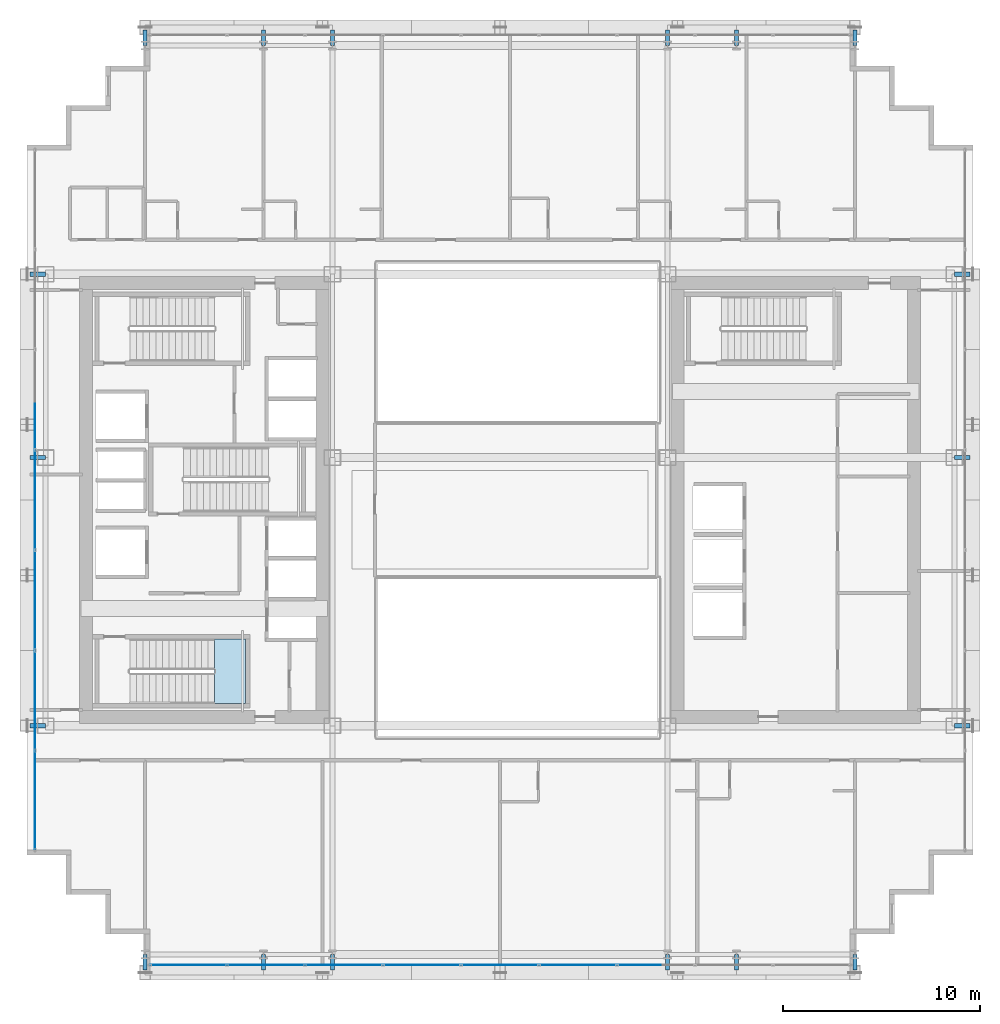
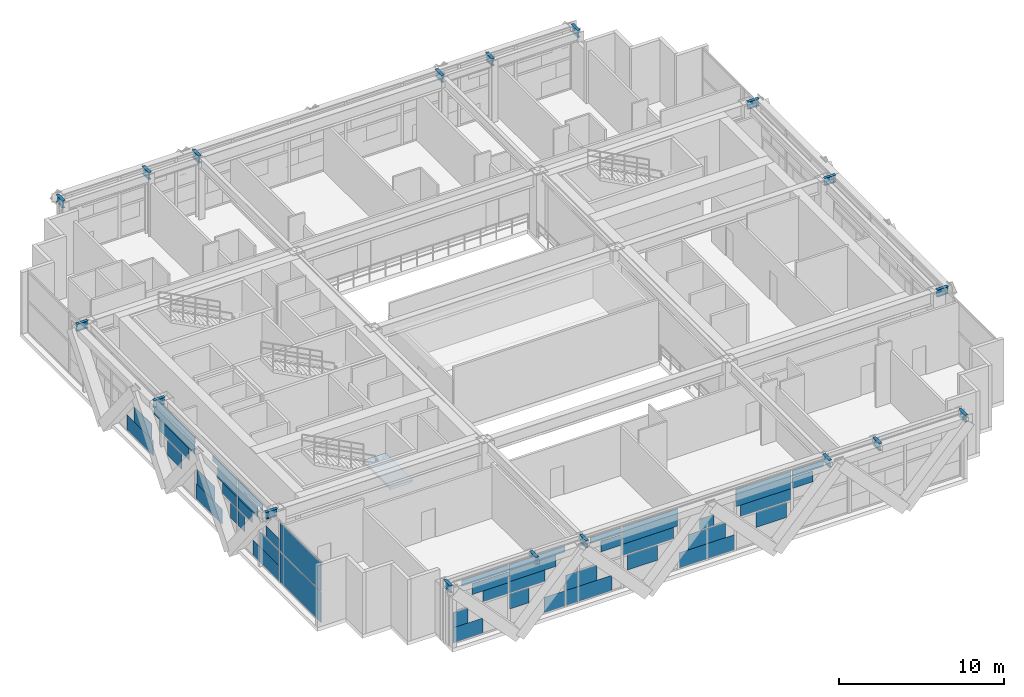
# One storey, part 25 of 38: 46 plates, 18 beams, 1 slab, 3 elements without a shape of their own.
"""IFC4 building model written with IfcOpenShell, lengths in metres."""

from ifc_helpers import new_model, si_unit, direction, frame, origin, origin_2d, place, context, subcontext, project, spatial, polyline, rectangle, i_section, outline, extrude, source, transform, mapped, material, layer, layer_set, material_profile, profile_set, type_object, element, aggregate, save


model = new_model("IFC4")

# Units and contexts
model_context = context("Model", 3, precision=1e-05, world=origin(), true_north=direction((0.0, 1.0)))
body_context = subcontext(model_context, "Body", "Model", "MODEL_VIEW")
ifc_project = project(units=[si_unit("LENGTHUNIT", "METRE"), si_unit("AREAUNIT", "SQUARE_METRE"), si_unit("VOLUMEUNIT", "CUBIC_METRE"), si_unit("PLANEANGLEUNIT", "RADIAN"), si_unit("MASSUNIT", "GRAM", prefix="KILO")], contexts=[model_context])

# Site, building, storey
site_placement = place(None, origin())
site = spatial("IfcSite", under=ifc_project, at=site_placement, CompositionType="ELEMENT")
building_placement = place(site_placement, origin())
building = spatial("IfcBuilding", under=site, at=building_placement, Name="Ocotamira Hotel", CompositionType="ELEMENT")
storey_placement = place(building_placement, frame((0.0, 0.0, 92.39990234375)))
storey = spatial("IfcBuildingStorey", under=building, at=storey_placement, Name="L22", CompositionType="ELEMENT", Elevation=92.39990234375)

# Beams
ifc_material_1 = material(Name="Steel ASTM A992 Grade 50", Category="steel")
ifc_material_profile = material_profile(ifc_material_1, i_section(OverallWidth=0.2099609375, OverallDepth=0.537109375, WebThickness=0.010986328125, FlangeThickness=0.017333984375, FilletRadius=0.012939453125, at=origin_2d()), Name="W21X68")
ifc_profile_set = profile_set([ifc_material_profile], Name="Steel ASTM A992 Grade 50")
beam_type = type_object("IfcBeamType", Name="BM-SEC-W21X68", PredefinedType="JOIST", material=ifc_profile_set)
shared_shape_1 = source(origin(), body_context, "Body", "SweptSolid", [
    extrude(i_section(OverallWidth=0.2099609375, OverallDepth=0.537109375, WebThickness=0.010986328125, FlangeThickness=0.017333984375, FilletRadius=0.012939453125, at=origin_2d()), origin(), (0.0, 0.0, 1.0), 0.800048828125),
])
for number, where, z_axis, x_axis, name in (
    (1, (14.0, 2.949951171875, 4.29150390625), (0.0, -1.0, 0.0), (1.0, 0.0, 0.0), "L22 South Edge Header X14"),
    (2, (14.0, 49.050048828125, 4.29150390625), (0.0, 1.0, 0.0), (-1.0, 0.0, 0.0), "L22 North Edge Header X14"),
    (3, (20.0, 2.949951171875, 4.29150390625), (0.0, -1.0, 0.0), (1.0, 0.0, 0.0), "L22 South Edge Header X20"),
    (4, (20.0, 49.050048828125, 4.29150390625), (0.0, 1.0, 0.0), (-1.0, 0.0, 0.0), "L22 North Edge Header X20"),
    (5, (23.5, 2.949951171875, 4.29150390625), (0.0, -1.0, 0.0), (1.0, 0.0, 0.0), "L22 South Edge Header X23.5"),
    (6, (23.5, 49.050048828125, 4.29150390625), (0.0, 1.0, 0.0), (-1.0, 0.0, 0.0), "L22 North Edge Header X23.5"),
    (7, (40.5, 2.949951171875, 4.29150390625), (0.0, -1.0, 0.0), (1.0, 0.0, 0.0), "L22 South Edge Header X40.5"),
    (8, (40.5, 49.050048828125, 4.29150390625), (0.0, 1.0, 0.0), (-1.0, 0.0, 0.0), "L22 North Edge Header X40.5"),
    (9, (44.0, 2.949951171875, 4.29150390625), (0.0, -1.0, 0.0), (1.0, 0.0, 0.0), "L22 South Edge Header X44"),
    (10, (44.0, 49.050048828125, 4.29150390625), (0.0, 1.0, 0.0), (-1.0, 0.0, 0.0), "L22 North Edge Header X44"),
    (11, (50.0, 2.949951171875, 4.29150390625), (0.0, -1.0, 0.0), (1.0, 0.0, 0.0), "L22 South Edge Header X50"),
    (12, (50.0, 49.050048828125, 4.29150390625), (0.0, 1.0, 0.0), (-1.0, 0.0, 0.0), "L22 North Edge Header X50"),
    (13, (8.949951171875, 14.550048828125, 4.29150390625), (-1.0, 0.0, 0.0), (0.0, -1.0, 0.0), "L22 West Edge Header Y14.55"),
    (14, (55.050048828125, 14.550048828125, 4.29150390625), (1.0, 0.0, 0.0), (0.0, 1.0, 0.0), "L22 East Edge Header Y14.55"),
    (15, (8.949951171875, 28.14990234375, 4.29150390625), (-1.0, 0.0, 0.0), (0.0, -1.0, 0.0), "L22 West Edge Header Y28.15"),
    (16, (55.050048828125, 28.14990234375, 4.29150390625), (1.0, 0.0, 0.0), (0.0, 1.0, 0.0), "L22 East Edge Header Y28.15"),
    (17, (8.949951171875, 37.449951171875, 4.29150390625), (-1.0, 0.0, 0.0), (0.0, -1.0, 0.0), "L22 West Edge Header Y37.45"),
    (18, (55.050048828125, 37.449951171875, 4.29150390625), (1.0, 0.0, 0.0), (0.0, 1.0, 0.0), "L22 East Edge Header Y37.45"),
):
    element("IfcBeam", number, at=place(storey_placement, frame(where, z_axis=z_axis, x_axis=x_axis)), inside=storey, type_object=beam_type, Name=name, PredefinedType="JOIST", context=body_context, shape_type="MappedRepresentation", body=[
        mapped(shared_shape_1, transform((0.0, 0.0, 0.0), scale=1.0)),
    ])

# Stair, slab
ifc_material_2 = material(Name="Concrete C40/50", Category="concrete")
stair_type = type_object("IfcStairType", Name="ST-CORE-1560", PredefinedType="HALF_TURN_STAIR", material=ifc_material_2)
stair_placement = place(storey_placement, origin())
stair = element("IfcStair", 19, at=stair_placement, inside=storey, type_object=stair_type, Name="L22 Exit Stair ST-1", PredefinedType="HALF_TURN_STAIR")
ifc_layer_1 = layer(ifc_material_2, 0.199951171875)
ifc_layer_set_1 = layer_set([ifc_layer_1], Name="Concrete C40/50")
slab_type = type_object("IfcSlabType", Name="SLB-LAND-200", PredefinedType="LANDING", material=ifc_layer_set_1)
slab_placement = place(storey_placement, frame((0.0, 0.0, 2.2001953125)))
slab = element("IfcSlab", 20, at=slab_placement, type_object=slab_type, Name="ST-1 landing 1", PredefinedType="LANDING", context=body_context, shape_type="SweptSolid", body=[
    extrude(outline(polyline([(17.52001953125, 15.669921875), (19.090087890625, 15.669921875), (19.090087890625, 18.949951171875), (17.52001953125, 18.949951171875), (17.52001953125, 15.669921875)])), origin(), (0.0, 0.0, 1.0), 0.199951171875),
])
aggregate(stair, [slab])

# Curtain wall, plate
ifc_material_3 = material(Name="Anodised pale-metal aluminium and solar glass", Category="aluminium")
ifc_layer_2 = layer(ifc_material_3, 0.239990234375)
ifc_layer_set_2 = layer_set([ifc_layer_2], Name="Anodised pale-metal aluminium and solar glass")
curtain_wall_type = type_object("IfcCurtainWallType", Name="CW-SYS5-SKY", PredefinedType="NOTDEFINED", material=ifc_layer_set_2)
curtain_wall_1_placement = place(storey_placement, origin())
curtain_wall_1 = element("IfcCurtainWall", 21, at=curtain_wall_1_placement, inside=storey, type_object=curtain_wall_type, Name="L22 Curtain Wall CW-5 CW-L22-W", PredefinedType="NOTDEFINED")
ifc_material_4 = material(Name="Double-silver low-E insulated solar glass", Category="glass")
ifc_layer_3 = layer(ifc_material_4, 0.031982421875)
ifc_layer_set_3 = layer_set([ifc_layer_3], Name="Double-silver low-E insulated solar glass")
plate_type = type_object("IfcPlateType", Name="CWP-VISION-32", PredefinedType="CURTAIN_PANEL", material=ifc_layer_set_3)
shared_shape_2 = source(origin(), body_context, "Body", "SweptSolid", [
    extrude(rectangle(XDim=4.9658203125, YDim=0.031982421875, at=origin_2d()), origin(), (0.0, 0.0, 1.0), 2.237548828125),
])
plate_1_placement = place(storey_placement, frame((8.419921875, 10.762939453125, 0.0751953125), z_axis=(0.0, 0.0, 1.0), x_axis=(0.0, 1.0, 0.0)))
plate_1 = element("IfcPlate", 22, at=plate_1_placement, type_object=plate_type, Name="CW-5 panel 1.1", PredefinedType="CURTAIN_PANEL", context=body_context, shape_type="MappedRepresentation", body=[
    mapped(shared_shape_2, transform((0.0, 0.0, 0.0), scale=1.0)),
])

# Curtain wall, plates
curtain_wall_2_placement = place(storey_placement, origin())
curtain_wall_2 = element("IfcCurtainWall", 23, at=curtain_wall_2_placement, inside=storey, type_object=curtain_wall_type, Name="L22 Curtain Wall CW-5 CW-L22-S1", PredefinedType="NOTDEFINED")
shared_shape_3 = source(origin(), body_context, "Body", "SweptSolid", [
    extrude(rectangle(XDim=2.0712890625, YDim=0.031982421875, at=origin_2d()), origin(), (0.0, 0.0, 1.0), 1.118896484375),
])
plate_2_placement = place(storey_placement, frame((15.315673828125, 2.419921875, 0.0751953125), z_axis=(0.0, 0.0, 1.0), x_axis=(1.0, 0.0, 0.0)))
plate_2 = element("IfcPlate", 24, at=plate_2_placement, type_object=plate_type, Name="CW-5 panel 1.1.1", PredefinedType="CURTAIN_PANEL", context=body_context, shape_type="MappedRepresentation", body=[
    mapped(shared_shape_3, transform((0.0, 0.0, 0.0), scale=1.0)),
])
shared_shape_4 = source(origin(), body_context, "Body", "SweptSolid", [
    extrude(rectangle(XDim=1.031005859375, YDim=0.031982421875, at=origin_2d()), origin(), (0.0, 0.0, 1.0), 1.118896484375),
])
plate_3_placement = place(storey_placement, frame((14.79541015625, 2.419921875, 1.19384765625), z_axis=(0.0, 0.0, 1.0), x_axis=(1.0, 0.0, 0.0)))
plate_3 = element("IfcPlate", 25, at=plate_3_placement, type_object=plate_type, Name="CW-5 panel 1.1.2", PredefinedType="CURTAIN_PANEL", context=body_context, shape_type="MappedRepresentation", body=[
    mapped(shared_shape_4, transform((0.0, 0.0, 0.0), scale=1.0)),
])
shared_shape_5 = source(origin(), body_context, "Body", "SweptSolid", [
    extrude(rectangle(XDim=3.256591796875, YDim=0.031982421875, at=origin_2d()), origin(), (0.0, 0.0, 1.0), 0.42919921875),
])
plate_4_placement = place(storey_placement, frame((16.4873046875, 2.419921875, 4.055908203125), z_axis=(0.0, 0.0, 1.0), x_axis=(1.0, 0.0, 0.0)))
plate_4 = element("IfcPlate", 26, at=plate_4_placement, type_object=plate_type, Name="CW-5 panel 1.2.1", PredefinedType="CURTAIN_PANEL", context=body_context, shape_type="MappedRepresentation", body=[
    mapped(shared_shape_5, transform((0.0, 0.0, 0.0), scale=1.0)),
])
shared_shape_6 = source(origin(), body_context, "Body", "SweptSolid", [
    extrude(rectangle(XDim=2.523193359375, YDim=0.031982421875, at=origin_2d()), origin(), (0.0, 0.0, 1.0), 0.79736328125),
])
plate_5_placement = place(storey_placement, frame((16.85400390625, 2.419921875, 3.184814453125), z_axis=(0.0, 0.0, 1.0), x_axis=(1.0, 0.0, 0.0)))
plate_5 = element("IfcPlate", 27, at=plate_5_placement, type_object=plate_type, Name="CW-5 panel 1.2.2", PredefinedType="CURTAIN_PANEL", context=body_context, shape_type="MappedRepresentation", body=[
    mapped(shared_shape_6, transform((0.0, 0.0, 0.0), scale=1.0)),
])
shared_shape_7 = source(origin(), body_context, "Body", "SweptSolid", [
    extrude(rectangle(XDim=1.781982421875, YDim=0.031982421875, at=origin_2d()), origin(), (0.0, 0.0, 1.0), 0.79736328125),
])
plate_6_placement = place(storey_placement, frame((17.224609375, 2.419921875, 2.387451171875), z_axis=(0.0, 0.0, 1.0), x_axis=(1.0, 0.0, 0.0)))
plate_6 = element("IfcPlate", 28, at=plate_6_placement, type_object=plate_type, Name="CW-5 panel 1.2.3", PredefinedType="CURTAIN_PANEL", context=body_context, shape_type="MappedRepresentation", body=[
    mapped(shared_shape_7, transform((0.0, 0.0, 0.0), scale=1.0)),
])
shared_shape_8 = source(origin(), body_context, "Body", "SweptSolid", [
    extrude(rectangle(XDim=1.36083984375, YDim=0.031982421875, at=origin_2d()), origin(), (0.0, 0.0, 1.0), 1.118896484375),
])
plate_7_placement = place(storey_placement, frame((18.8759765625, 2.419921875, 1.19384765625), z_axis=(0.0, 0.0, 1.0), x_axis=(1.0, 0.0, 0.0)))
plate_7 = element("IfcPlate", 29, at=plate_7_placement, type_object=plate_type, Name="CW-5 panel 2.1.1", PredefinedType="CURTAIN_PANEL", context=body_context, shape_type="MappedRepresentation", body=[
    mapped(shared_shape_8, transform((0.0, 0.0, 0.0), scale=1.0)),
])
shared_shape_9 = source(origin(), body_context, "Body", "SweptSolid", [
    extrude(rectangle(XDim=1.42236328125, YDim=0.031982421875, at=origin_2d()), origin(), (0.0, 0.0, 1.0), 1.118896484375),
])
plate_8_placement = place(storey_placement, frame((21.360107421875, 2.419921875, 0.0751953125), z_axis=(0.0, 0.0, 1.0), x_axis=(1.0, 0.0, 0.0)))
plate_8 = element("IfcPlate", 30, at=plate_8_placement, type_object=plate_type, Name="CW-5 panel 2.1.2", PredefinedType="CURTAIN_PANEL", context=body_context, shape_type="MappedRepresentation", body=[
    mapped(shared_shape_9, transform((0.0, 0.0, 0.0), scale=1.0)),
])
shared_shape_10 = source(origin(), body_context, "Body", "SweptSolid", [
    extrude(rectangle(XDim=2.470703125, YDim=0.031982421875, at=origin_2d()), origin(), (0.0, 0.0, 1.0), 0.834228515625),
])
plate_9_placement = place(storey_placement, frame((19.430908203125, 2.419921875, 2.3876953125), z_axis=(0.0, 0.0, 1.0), x_axis=(1.0, 0.0, 0.0)))
plate_9 = element("IfcPlate", 31, at=plate_9_placement, type_object=plate_type, Name="CW-5 panel 2.2.1", PredefinedType="CURTAIN_PANEL", context=body_context, shape_type="MappedRepresentation", body=[
    mapped(shared_shape_10, transform((0.0, 0.0, 0.0), scale=1.0)),
])
shared_shape_11 = source(origin(), body_context, "Body", "SweptSolid", [
    extrude(rectangle(XDim=3.246337890625, YDim=0.031982421875, at=origin_2d()), origin(), (0.0, 0.0, 1.0), 0.834228515625),
])
plate_10_placement = place(storey_placement, frame((19.81884765625, 2.419921875, 3.2216796875), z_axis=(0.0, 0.0, 1.0), x_axis=(1.0, 0.0, 0.0)))
plate_10 = element("IfcPlate", 32, at=plate_10_placement, type_object=plate_type, Name="CW-5 panel 2.2.2", PredefinedType="CURTAIN_PANEL", context=body_context, shape_type="MappedRepresentation", body=[
    mapped(shared_shape_11, transform((0.0, 0.0, 0.0), scale=1.0)),
])
shared_shape_12 = source(origin(), body_context, "Body", "SweptSolid", [
    extrude(rectangle(XDim=3.87548828125, YDim=0.031982421875, at=origin_2d()), origin(), (0.0, 0.0, 1.0), 0.42919921875),
])
plate_11_placement = place(storey_placement, frame((20.13330078125, 2.419921875, 4.055908203125), z_axis=(0.0, 0.0, 1.0), x_axis=(1.0, 0.0, 0.0)))
plate_11 = element("IfcPlate", 33, at=plate_11_placement, type_object=plate_type, Name="CW-5 panel 2.2.3", PredefinedType="CURTAIN_PANEL", context=body_context, shape_type="MappedRepresentation", body=[
    mapped(shared_shape_12, transform((0.0, 0.0, 0.0), scale=1.0)),
])
shared_shape_13 = source(origin(), body_context, "Body", "SweptSolid", [
    extrude(rectangle(XDim=3.2001953125, YDim=0.031982421875, at=origin_2d()), origin(), (0.0, 0.0, 1.0), 1.118896484375),
])
plate_12_placement = place(storey_placement, frame((23.751220703125, 2.419921875, 0.0751953125), z_axis=(0.0, 0.0, 1.0), x_axis=(1.0, 0.0, 0.0)))
plate_12 = element("IfcPlate", 34, at=plate_12_placement, type_object=plate_type, Name="CW-5 panel 3.1.1", PredefinedType="CURTAIN_PANEL", context=body_context, shape_type="MappedRepresentation", body=[
    mapped(shared_shape_13, transform((0.0, 0.0, 0.0), scale=1.0)),
])
shared_shape_14 = source(origin(), body_context, "Body", "SweptSolid", [
    extrude(rectangle(XDim=2.159912109375, YDim=0.031982421875, at=origin_2d()), origin(), (0.0, 0.0, 1.0), 1.118896484375),
])
plate_13_placement = place(storey_placement, frame((23.231201171875, 2.419921875, 1.19384765625), z_axis=(0.0, 0.0, 1.0), x_axis=(1.0, 0.0, 0.0)))
plate_13 = element("IfcPlate", 35, at=plate_13_placement, type_object=plate_type, Name="CW-5 panel 3.1.2", PredefinedType="CURTAIN_PANEL", context=body_context, shape_type="MappedRepresentation", body=[
    mapped(shared_shape_14, transform((0.0, 0.0, 0.0), scale=1.0)),
])
shared_shape_15 = source(origin(), body_context, "Body", "SweptSolid", [
    extrude(rectangle(XDim=2.16748046875, YDim=0.031982421875, at=origin_2d()), origin(), (0.0, 0.0, 1.0), 0.42919921875),
])
plate_14_placement = place(storey_placement, frame((24.94287109375, 2.419921875, 4.055908203125), z_axis=(0.0, 0.0, 1.0), x_axis=(1.0, 0.0, 0.0)))
plate_14 = element("IfcPlate", 36, at=plate_14_placement, type_object=plate_type, Name="CW-5 panel 3.2.1", PredefinedType="CURTAIN_PANEL", context=body_context, shape_type="MappedRepresentation", body=[
    mapped(shared_shape_15, transform((0.0, 0.0, 0.0), scale=1.0)),
])
plate_15_placement = place(storey_placement, frame((39.05712890625, 2.419921875, 4.055908203125), z_axis=(0.0, 0.0, 1.0), x_axis=(1.0, 0.0, 0.0)))
plate_15 = element("IfcPlate", 37, at=plate_15_placement, type_object=plate_type, Name="CW-5 panel 7.2.2", PredefinedType="CURTAIN_PANEL", context=body_context, shape_type="MappedRepresentation", body=[
    mapped(shared_shape_15, transform((0.0, 0.0, 0.0), scale=1.0)),
])
shared_shape_16 = source(origin(), body_context, "Body", "SweptSolid", [
    extrude(rectangle(XDim=1.434326171875, YDim=0.031982421875, at=origin_2d()), origin(), (0.0, 0.0, 1.0), 0.79736328125),
])
plate_16_placement = place(storey_placement, frame((25.3095703125, 2.419921875, 3.184814453125), z_axis=(0.0, 0.0, 1.0), x_axis=(1.0, 0.0, 0.0)))
plate_16 = element("IfcPlate", 38, at=plate_16_placement, type_object=plate_type, Name="CW-5 panel 3.2.2", PredefinedType="CURTAIN_PANEL", context=body_context, shape_type="MappedRepresentation", body=[
    mapped(shared_shape_16, transform((0.0, 0.0, 0.0), scale=1.0)),
])
plate_17_placement = place(storey_placement, frame((38.6904296875, 2.419921875, 3.184814453125), z_axis=(0.0, 0.0, 1.0), x_axis=(1.0, 0.0, 0.0)))
plate_17 = element("IfcPlate", 39, at=plate_17_placement, type_object=plate_type, Name="CW-5 panel 7.2.1", PredefinedType="CURTAIN_PANEL", context=body_context, shape_type="MappedRepresentation", body=[
    mapped(shared_shape_16, transform((0.0, 0.0, 0.0), scale=1.0)),
])
shared_shape_17 = source(origin(), body_context, "Body", "SweptSolid", [
    extrude(rectangle(XDim=2.113037109375, YDim=0.031982421875, at=origin_2d()), origin(), (0.0, 0.0, 1.0), 1.118896484375),
])
plate_18_placement = place(storey_placement, frame((27.5, 2.419921875, 1.19384765625), z_axis=(0.0, 0.0, 1.0), x_axis=(1.0, 0.0, 0.0)))
plate_18 = element("IfcPlate", 40, at=plate_18_placement, type_object=plate_type, Name="CW-5 panel 4.1.1", PredefinedType="CURTAIN_PANEL", context=body_context, shape_type="MappedRepresentation", body=[
    mapped(shared_shape_17, transform((0.0, 0.0, 0.0), scale=1.0)),
])
plate_19_placement = place(storey_placement, frame((36.5, 2.419921875, 1.19384765625), z_axis=(0.0, 0.0, 1.0), x_axis=(1.0, 0.0, 0.0)))
plate_19 = element("IfcPlate", 41, at=plate_19_placement, type_object=plate_type, Name="CW-5 panel 6.1.1", PredefinedType="CURTAIN_PANEL", context=body_context, shape_type="MappedRepresentation", body=[
    mapped(shared_shape_17, transform((0.0, 0.0, 0.0), scale=1.0)),
])
shared_shape_18 = source(origin(), body_context, "Body", "SweptSolid", [
    extrude(rectangle(XDim=3.559814453125, YDim=0.031982421875, at=origin_2d()), origin(), (0.0, 0.0, 1.0), 0.834228515625),
])
plate_20_placement = place(storey_placement, frame((27.886474609375, 2.419921875, 2.3876953125), z_axis=(0.0, 0.0, 1.0), x_axis=(1.0, 0.0, 0.0)))
plate_20 = element("IfcPlate", 42, at=plate_20_placement, type_object=plate_type, Name="CW-5 panel 4.2.1", PredefinedType="CURTAIN_PANEL", context=body_context, shape_type="MappedRepresentation", body=[
    mapped(shared_shape_18, transform((0.0, 0.0, 0.0), scale=1.0)),
])
plate_21_placement = place(storey_placement, frame((36.113525390625, 2.419921875, 2.3876953125), z_axis=(0.0, 0.0, 1.0), x_axis=(1.0, 0.0, 0.0)))
plate_21 = element("IfcPlate", 43, at=plate_21_placement, type_object=plate_type, Name="CW-5 panel 6.2.2", PredefinedType="CURTAIN_PANEL", context=body_context, shape_type="MappedRepresentation", body=[
    mapped(shared_shape_18, transform((0.0, 0.0, 0.0), scale=1.0)),
])
shared_shape_19 = source(origin(), body_context, "Body", "SweptSolid", [
    extrude(rectangle(XDim=3.87548828125, YDim=0.031982421875, at=origin_2d()), origin(), (0.0, 0.0, 1.0), 1.26318359375),
])
plate_22_placement = place(storey_placement, frame((28.04443359375, 2.419921875, 3.221923828125), z_axis=(0.0, 0.0, 1.0), x_axis=(1.0, 0.0, 0.0)))
plate_22 = element("IfcPlate", 44, at=plate_22_placement, type_object=plate_type, Name="CW-5 panel 4.2.2", PredefinedType="CURTAIN_PANEL", context=body_context, shape_type="MappedRepresentation", body=[
    mapped(shared_shape_19, transform((0.0, 0.0, 0.0), scale=1.0)),
])
plate_23_placement = place(storey_placement, frame((35.95556640625, 2.419921875, 3.221923828125), z_axis=(0.0, 0.0, 1.0), x_axis=(1.0, 0.0, 0.0)))
plate_23 = element("IfcPlate", 45, at=plate_23_placement, type_object=plate_type, Name="CW-5 panel 6.2.1", PredefinedType="CURTAIN_PANEL", context=body_context, shape_type="MappedRepresentation", body=[
    mapped(shared_shape_19, transform((0.0, 0.0, 0.0), scale=1.0)),
])
shared_shape_20 = source(origin(), body_context, "Body", "SweptSolid", [
    extrude(rectangle(XDim=3.87548828125, YDim=0.031982421875, at=origin_2d()), origin(), (0.0, 0.0, 1.0), 1.118896484375),
])
plate_24_placement = place(storey_placement, frame((32.0, 2.419921875, 0.0751953125), z_axis=(0.0, 0.0, 1.0), x_axis=(1.0, 0.0, 0.0)))
plate_24 = element("IfcPlate", 46, at=plate_24_placement, type_object=plate_type, Name="CW-5 panel 5.1.1", PredefinedType="CURTAIN_PANEL", context=body_context, shape_type="MappedRepresentation", body=[
    mapped(shared_shape_20, transform((0.0, 0.0, 0.0), scale=1.0)),
])
shared_shape_21 = source(origin(), body_context, "Body", "SweptSolid", [
    extrude(rectangle(XDim=2.6220703125, YDim=0.031982421875, at=origin_2d()), origin(), (0.0, 0.0, 1.0), 1.118896484375),
])
plate_25_placement = place(storey_placement, frame((32.0, 2.419921875, 1.19384765625), z_axis=(0.0, 0.0, 1.0), x_axis=(1.0, 0.0, 0.0)))
plate_25 = element("IfcPlate", 47, at=plate_25_placement, type_object=plate_type, Name="CW-5 panel 5.1.2", PredefinedType="CURTAIN_PANEL", context=body_context, shape_type="MappedRepresentation", body=[
    mapped(shared_shape_21, transform((0.0, 0.0, 0.0), scale=1.0)),
])
shared_shape_22 = source(origin(), body_context, "Body", "SweptSolid", [
    extrude(rectangle(XDim=1.0, YDim=0.031982421875, at=origin_2d()), origin(), (0.0, 0.0, 1.0), 0.79736328125),
])
plate_26_placement = place(storey_placement, frame((32.0, 2.419921875, 2.387451171875), z_axis=(0.0, 0.0, 1.0), x_axis=(1.0, 0.0, 0.0)))
plate_26 = element("IfcPlate", 48, at=plate_26_placement, type_object=plate_type, Name="CW-5 panel 5.2.1", PredefinedType="CURTAIN_PANEL", context=body_context, shape_type="MappedRepresentation", body=[
    mapped(shared_shape_22, transform((0.0, 0.0, 0.0), scale=1.0)),
])
aggregate(curtain_wall_2, [plate_2, plate_3, plate_4, plate_5, plate_6, plate_7, plate_8, plate_9, plate_10, plate_11, plate_12, plate_13, plate_14, plate_16, plate_18, plate_20, plate_22, plate_24, plate_25, plate_26, plate_19, plate_23, plate_21, plate_17, plate_15])

# Plate
shared_shape_23 = source(origin(), body_context, "Body", "SweptSolid", [
    extrude(rectangle(XDim=4.9658203125, YDim=0.031982421875, at=origin_2d()), origin(), (0.0, 0.0, 1.0), 2.097412109375),
])
plate_27_placement = place(storey_placement, frame((8.419921875, 10.762939453125, 2.3876953125), z_axis=(0.0, 0.0, 1.0), x_axis=(0.0, 1.0, 0.0)))
plate_27 = element("IfcPlate", 49, at=plate_27_placement, type_object=plate_type, Name="CW-5 panel 1.2", PredefinedType="CURTAIN_PANEL", context=body_context, shape_type="MappedRepresentation", body=[
    mapped(shared_shape_23, transform((0.0, 0.0, 0.0), scale=1.0)),
])

shared_shape_24 = source(origin(), body_context, "Body", "SweptSolid", [
    extrude(rectangle(XDim=3.172119140625, YDim=0.031982421875, at=origin_2d()), origin(), (0.0, 0.0, 1.0), 1.118896484375),
])
plate_28_placement = place(storey_placement, frame((8.419921875, 14.911865234375, 0.0751953125), z_axis=(0.0, 0.0, 1.0), x_axis=(0.0, 1.0, 0.0)))
plate_28 = element("IfcPlate", 50, at=plate_28_placement, type_object=plate_type, Name="CW-5 panel 2.1.1", PredefinedType="CURTAIN_PANEL", context=body_context, shape_type="MappedRepresentation", body=[
    mapped(shared_shape_24, transform((0.0, 0.0, 0.0), scale=1.0)),
])

shared_shape_25 = source(origin(), body_context, "Body", "SweptSolid", [
    extrude(rectangle(XDim=2.2900390625, YDim=0.031982421875, at=origin_2d()), origin(), (0.0, 0.0, 1.0), 1.118896484375),
])
plate_29_placement = place(storey_placement, frame((8.419921875, 14.470703125, 1.19384765625), z_axis=(0.0, 0.0, 1.0), x_axis=(0.0, 1.0, 0.0)))
plate_29 = element("IfcPlate", 51, at=plate_29_placement, type_object=plate_type, Name="CW-5 panel 2.1.2", PredefinedType="CURTAIN_PANEL", context=body_context, shape_type="MappedRepresentation", body=[
    mapped(shared_shape_25, transform((0.0, 0.0, 0.0), scale=1.0)),
])

shared_shape_26 = source(origin(), body_context, "Body", "SweptSolid", [
    extrude(rectangle(XDim=0.814697265625, YDim=0.031982421875, at=origin_2d()), origin(), (0.0, 0.0, 1.0), 1.118896484375),
])
plate_30_placement = place(storey_placement, frame((8.419921875, 17.924072265625, 1.19384765625), z_axis=(0.0, 0.0, 1.0), x_axis=(0.0, 1.0, 0.0)))
plate_30 = element("IfcPlate", 52, at=plate_30_placement, type_object=plate_type, Name="CW-5 panel 2.1.3", PredefinedType="CURTAIN_PANEL", context=body_context, shape_type="MappedRepresentation", body=[
    mapped(shared_shape_26, transform((0.0, 0.0, 0.0), scale=1.0)),
])

shared_shape_27 = source(origin(), body_context, "Body", "SweptSolid", [
    extrude(rectangle(XDim=1.594482421875, YDim=0.031982421875, at=origin_2d()), origin(), (0.0, 0.0, 1.0), 0.80712890625),
])
plate_31_placement = place(storey_placement, frame((8.419921875, 14.122802734375, 2.3876953125), z_axis=(0.0, 0.0, 1.0), x_axis=(0.0, 1.0, 0.0)))
plate_31 = element("IfcPlate", 53, at=plate_31_placement, type_object=plate_type, Name="CW-5 panel 2.2.1", PredefinedType="CURTAIN_PANEL", context=body_context, shape_type="MappedRepresentation", body=[
    mapped(shared_shape_27, transform((0.0, 0.0, 0.0), scale=1.0)),
])

shared_shape_28 = source(origin(), body_context, "Body", "SweptSolid", [
    extrude(rectangle(XDim=3.012939453125, YDim=0.031982421875, at=origin_2d()), origin(), (0.0, 0.0, 1.0), 0.403076171875),
])
plate_32_placement = place(storey_placement, frame((8.419921875, 16.824951171875, 4.08203125), z_axis=(0.0, 0.0, 1.0), x_axis=(0.0, 1.0, 0.0)))
plate_32 = element("IfcPlate", 54, at=plate_32_placement, type_object=plate_type, Name="CW-5 panel 2.2.2", PredefinedType="CURTAIN_PANEL", context=body_context, shape_type="MappedRepresentation", body=[
    mapped(shared_shape_28, transform((0.0, 0.0, 0.0), scale=1.0)),
])

shared_shape_29 = source(origin(), body_context, "Body", "SweptSolid", [
    extrude(rectangle(XDim=2.392578125, YDim=0.031982421875, at=origin_2d()), origin(), (0.0, 0.0, 1.0), 0.80712890625),
])
plate_33_placement = place(storey_placement, frame((8.419921875, 17.13525390625, 3.19482421875), z_axis=(0.0, 0.0, 1.0), x_axis=(0.0, 1.0, 0.0)))
plate_33 = element("IfcPlate", 55, at=plate_33_placement, type_object=plate_type, Name="CW-5 panel 2.2.3", PredefinedType="CURTAIN_PANEL", context=body_context, shape_type="MappedRepresentation", body=[
    mapped(shared_shape_29, transform((0.0, 0.0, 0.0), scale=1.0)),
])

shared_shape_30 = source(origin(), body_context, "Body", "SweptSolid", [
    extrude(rectangle(XDim=1.756103515625, YDim=0.031982421875, at=origin_2d()), origin(), (0.0, 0.0, 1.0), 0.80712890625),
])
plate_34_placement = place(storey_placement, frame((8.419921875, 17.453369140625, 2.3876953125), z_axis=(0.0, 0.0, 1.0), x_axis=(0.0, 1.0, 0.0)))
plate_34 = element("IfcPlate", 56, at=plate_34_placement, type_object=plate_type, Name="CW-5 panel 2.2.4", PredefinedType="CURTAIN_PANEL", context=body_context, shape_type="MappedRepresentation", body=[
    mapped(shared_shape_30, transform((0.0, 0.0, 0.0), scale=1.0)),
])

shared_shape_31 = source(origin(), body_context, "Body", "SweptSolid", [
    extrude(rectangle(XDim=0.80517578125, YDim=0.031982421875, at=origin_2d()), origin(), (0.0, 0.0, 1.0), 1.118896484375),
])
plate_35_placement = place(storey_placement, frame((8.419921875, 18.81396484375, 1.19384765625), z_axis=(0.0, 0.0, 1.0), x_axis=(0.0, 1.0, 0.0)))
plate_35 = element("IfcPlate", 57, at=plate_35_placement, type_object=plate_type, Name="CW-5 panel 3.1.1", PredefinedType="CURTAIN_PANEL", context=body_context, shape_type="MappedRepresentation", body=[
    mapped(shared_shape_31, transform((0.0, 0.0, 0.0), scale=1.0)),
])

shared_shape_32 = source(origin(), body_context, "Body", "SweptSolid", [
    extrude(rectangle(XDim=3.181884765625, YDim=0.031982421875, at=origin_2d()), origin(), (0.0, 0.0, 1.0), 1.118896484375),
])
plate_36_placement = place(storey_placement, frame((8.419921875, 21.826171875, 0.0751953125), z_axis=(0.0, 0.0, 1.0), x_axis=(0.0, 1.0, 0.0)))
plate_36 = element("IfcPlate", 58, at=plate_36_placement, type_object=plate_type, Name="CW-5 panel 3.1.2", PredefinedType="CURTAIN_PANEL", context=body_context, shape_type="MappedRepresentation", body=[
    mapped(shared_shape_32, transform((0.0, 0.0, 0.0), scale=1.0)),
])

plate_37_placement = place(storey_placement, frame((8.419921875, 30.173828125, 0.0751953125), z_axis=(0.0, 0.0, 1.0), x_axis=(0.0, 1.0, 0.0)))
plate_37 = element("IfcPlate", 59, at=plate_37_placement, type_object=plate_type, Name="CW-5 panel 5.1.1", PredefinedType="CURTAIN_PANEL", context=body_context, shape_type="MappedRepresentation", body=[
    mapped(shared_shape_32, transform((0.0, 0.0, 0.0), scale=1.0)),
])

shared_shape_33 = source(origin(), body_context, "Body", "SweptSolid", [
    extrude(rectangle(XDim=2.131591796875, YDim=0.031982421875, at=origin_2d()), origin(), (0.0, 0.0, 1.0), 1.118896484375),
])
plate_38_placement = place(storey_placement, frame((8.419921875, 22.183349609375, 1.19384765625), z_axis=(0.0, 0.0, 1.0), x_axis=(0.0, 1.0, 0.0)))
plate_38 = element("IfcPlate", 60, at=plate_38_placement, type_object=plate_type, Name="CW-5 panel 3.1.3", PredefinedType="CURTAIN_PANEL", context=body_context, shape_type="MappedRepresentation", body=[
    mapped(shared_shape_33, transform((0.0, 0.0, 0.0), scale=1.0)),
])

plate_39_placement = place(storey_placement, frame((8.419921875, 29.816650390625, 1.19384765625), z_axis=(0.0, 0.0, 1.0), x_axis=(0.0, 1.0, 0.0)))
plate_39 = element("IfcPlate", 61, at=plate_39_placement, type_object=plate_type, Name="CW-5 panel 5.1.2", PredefinedType="CURTAIN_PANEL", context=body_context, shape_type="MappedRepresentation", body=[
    mapped(shared_shape_33, transform((0.0, 0.0, 0.0), scale=1.0)),
])

shared_shape_34 = source(origin(), body_context, "Body", "SweptSolid", [
    extrude(rectangle(XDim=1.746337890625, YDim=0.031982421875, at=origin_2d()), origin(), (0.0, 0.0, 1.0), 0.80712890625),
])
plate_40_placement = place(storey_placement, frame((8.419921875, 19.28466796875, 2.3876953125), z_axis=(0.0, 0.0, 1.0), x_axis=(0.0, 1.0, 0.0)))
plate_40 = element("IfcPlate", 62, at=plate_40_placement, type_object=plate_type, Name="CW-5 panel 3.2.1", PredefinedType="CURTAIN_PANEL", context=body_context, shape_type="MappedRepresentation", body=[
    mapped(shared_shape_34, transform((0.0, 0.0, 0.0), scale=1.0)),
])

shared_shape_35 = source(origin(), body_context, "Body", "SweptSolid", [
    extrude(rectangle(XDim=2.383056640625, YDim=0.031982421875, at=origin_2d()), origin(), (0.0, 0.0, 1.0), 0.80712890625),
])
plate_41_placement = place(storey_placement, frame((8.419921875, 19.602783203125, 3.19482421875), z_axis=(0.0, 0.0, 1.0), x_axis=(0.0, 1.0, 0.0)))
plate_41 = element("IfcPlate", 63, at=plate_41_placement, type_object=plate_type, Name="CW-5 panel 3.2.2", PredefinedType="CURTAIN_PANEL", context=body_context, shape_type="MappedRepresentation", body=[
    mapped(shared_shape_35, transform((0.0, 0.0, 0.0), scale=1.0)),
])

shared_shape_36 = source(origin(), body_context, "Body", "SweptSolid", [
    extrude(rectangle(XDim=3.00341796875, YDim=0.031982421875, at=origin_2d()), origin(), (0.0, 0.0, 1.0), 0.403076171875),
])
plate_42_placement = place(storey_placement, frame((8.419921875, 19.9130859375, 4.08203125), z_axis=(0.0, 0.0, 1.0), x_axis=(0.0, 1.0, 0.0)))
plate_42 = element("IfcPlate", 64, at=plate_42_placement, type_object=plate_type, Name="CW-5 panel 3.2.3", PredefinedType="CURTAIN_PANEL", context=body_context, shape_type="MappedRepresentation", body=[
    mapped(shared_shape_36, transform((0.0, 0.0, 0.0), scale=1.0)),
])

shared_shape_37 = source(origin(), body_context, "Body", "SweptSolid", [
    extrude(rectangle(XDim=1.69970703125, YDim=0.031982421875, at=origin_2d()), origin(), (0.0, 0.0, 1.0), 1.118896484375),
])
plate_43_placement = place(storey_placement, frame((8.419921875, 26.0, 1.19384765625), z_axis=(0.0, 0.0, 1.0), x_axis=(0.0, 1.0, 0.0)))
plate_43 = element("IfcPlate", 65, at=plate_43_placement, type_object=plate_type, Name="CW-5 panel 4.1.1", PredefinedType="CURTAIN_PANEL", context=body_context, shape_type="MappedRepresentation", body=[
    mapped(shared_shape_37, transform((0.0, 0.0, 0.0), scale=1.0)),
])

shared_shape_38 = source(origin(), body_context, "Body", "SweptSolid", [
    extrude(rectangle(XDim=5.005615234375, YDim=0.031982421875, at=origin_2d()), origin(), (0.0, 0.0, 1.0), 0.403076171875),
])
plate_44_placement = place(storey_placement, frame((8.419921875, 26.0, 4.08203125), z_axis=(0.0, 0.0, 1.0), x_axis=(0.0, 1.0, 0.0)))
plate_44 = element("IfcPlate", 66, at=plate_44_placement, type_object=plate_type, Name="CW-5 panel 4.2.1", PredefinedType="CURTAIN_PANEL", context=body_context, shape_type="MappedRepresentation", body=[
    mapped(shared_shape_38, transform((0.0, 0.0, 0.0), scale=1.0)),
])

shared_shape_39 = source(origin(), body_context, "Body", "SweptSolid", [
    extrude(rectangle(XDim=4.918701171875, YDim=0.031982421875, at=origin_2d()), origin(), (0.0, 0.0, 1.0), 0.84716796875),
])
plate_45_placement = place(storey_placement, frame((8.419921875, 26.0, 3.23486328125), z_axis=(0.0, 0.0, 1.0), x_axis=(0.0, 1.0, 0.0)))
plate_45 = element("IfcPlate", 67, at=plate_45_placement, type_object=plate_type, Name="CW-5 panel 4.2.2", PredefinedType="CURTAIN_PANEL", context=body_context, shape_type="MappedRepresentation", body=[
    mapped(shared_shape_39, transform((0.0, 0.0, 0.0), scale=1.0)),
])

shared_shape_40 = source(origin(), body_context, "Body", "SweptSolid", [
    extrude(rectangle(XDim=3.58251953125, YDim=0.031982421875, at=origin_2d()), origin(), (0.0, 0.0, 1.0), 0.84716796875),
])
plate_46_placement = place(storey_placement, frame((8.419921875, 26.0, 2.3876953125), z_axis=(0.0, 0.0, 1.0), x_axis=(0.0, 1.0, 0.0)))
plate_46 = element("IfcPlate", 68, at=plate_46_placement, type_object=plate_type, Name="CW-5 panel 4.2.3", PredefinedType="CURTAIN_PANEL", context=body_context, shape_type="MappedRepresentation", body=[
    mapped(shared_shape_40, transform((0.0, 0.0, 0.0), scale=1.0)),
])

aggregate(curtain_wall_1, [plate_1, plate_27, plate_28, plate_29, plate_30, plate_31, plate_32, plate_33, plate_34, plate_35, plate_36, plate_38, plate_40, plate_41, plate_42, plate_43, plate_44, plate_45, plate_46, plate_37, plate_39])

save(model, "model.ifc")
